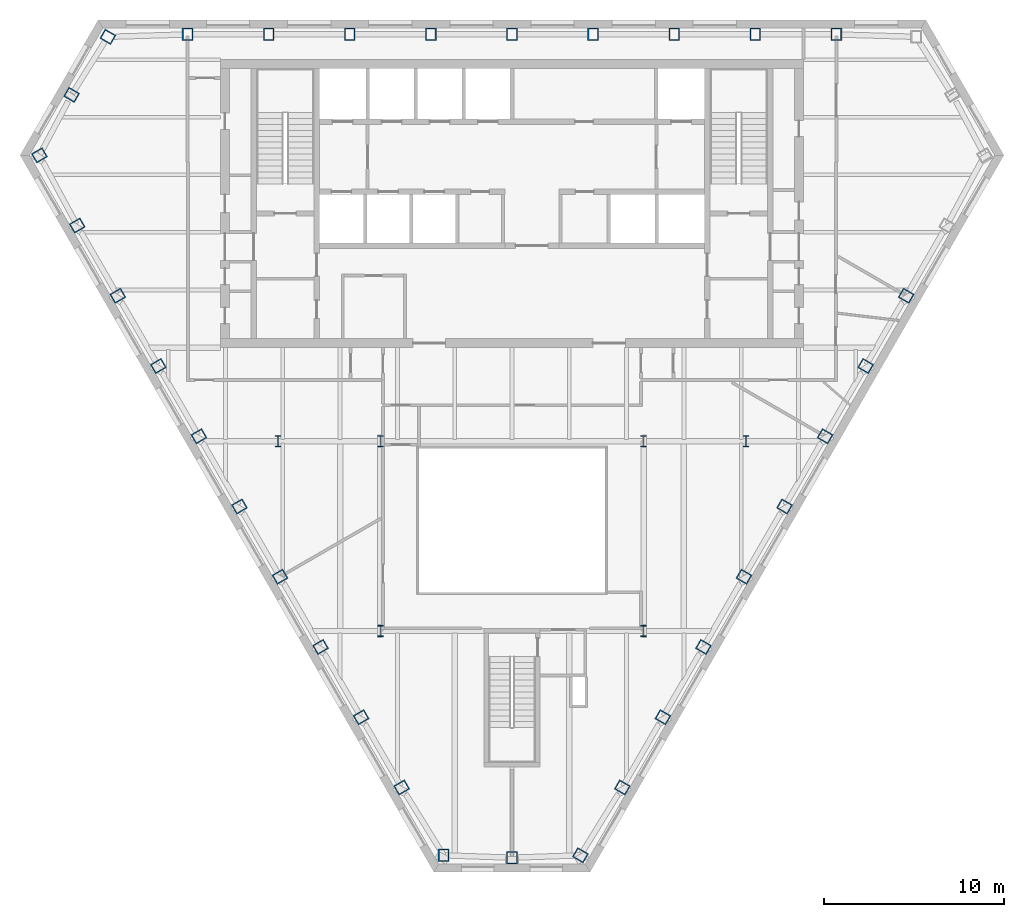
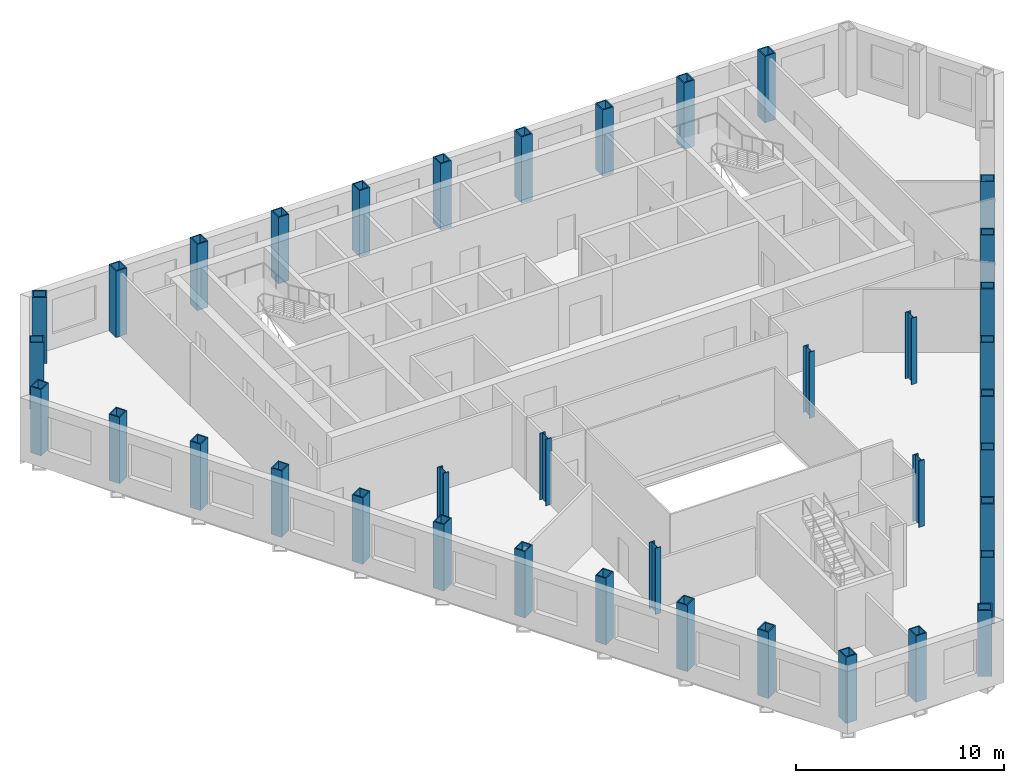
# One storey, part 1 of 11: 38 columns.
"""IFC4 building model written with IfcOpenShell, lengths in metres."""

from ifc_helpers import new_model, si_unit, direction, frame, origin, origin_2d, place, context, subcontext, project, spatial, hollow_rectangle, i_section, extrude, material, material_profile, profile_set, type_object, element, save


model = new_model("IFC4")

# Units and contexts
model_context = context("Model", 3, precision=1e-05, world=origin(), true_north=direction((0.0, 1.0)))
body_context = subcontext(model_context, "Body", "Model", "MODEL_VIEW")
ifc_project = project(units=[si_unit("LENGTHUNIT", "METRE"), si_unit("AREAUNIT", "SQUARE_METRE"), si_unit("VOLUMEUNIT", "CUBIC_METRE"), si_unit("PLANEANGLEUNIT", "RADIAN"), si_unit("MASSUNIT", "GRAM", prefix="KILO")], contexts=[model_context])

# Site, building, storey
site_placement = place(None, origin())
site = spatial("IfcSite", under=ifc_project, at=site_placement, CompositionType="ELEMENT")
building_placement = place(site_placement, origin())
building = spatial("IfcBuilding", under=site, at=building_placement, Name="Njiva Tower", CompositionType="ELEMENT")
storey_placement = place(building_placement, frame((0.0, 0.0, 151.5)))
storey = spatial("IfcBuildingStorey", under=building, at=storey_placement, Name="L32", CompositionType="ELEMENT", Elevation=151.5)

# Columns
ifc_material = material(Name="Steel S355 J2", Category="steel")
ifc_material_profile_1 = material_profile(ifc_material, i_section(OverallWidth=0.305, OverallDepth=0.62, WebThickness=0.021, FlangeThickness=0.04, at=origin_2d()), Name="HEM 600")
ifc_profile_set_1 = profile_set([ifc_material_profile_1], Name="Steel S355 J2")
column_type_1 = type_object("IfcColumnType", Name="C10 Interior column HEM 600", PredefinedType="COLUMN", material=ifc_profile_set_1)
for number, where, z_axis, x_axis, name in (
    (1, (7.32, -3.2, 0.0), (0.0, 0.0, 1.0), (1.0, 0.0, 0.0), "Interior column S11-C37"),
    (2, (-7.32, -3.2, 0.0), (0.0, 0.0, 1.0), (1.0, 0.0, 0.0), "Interior column S11-C38"),
    (3, (7.32, -13.75, 0.0), (0.0, 0.0, 1.0), (1.0, 0.0, 0.0), "Interior column S11-C39"),
    (4, (-7.32, -13.75, 0.0), (0.0, 0.0, 1.0), (1.0, 0.0, 0.0), "Interior column S11-C40"),
    (5, (13.0, -3.2, 0.0), (0.0, 0.0, 1.0), (1.0, 0.0, 0.0), "Interior column S11-C41"),
    (6, (-13.0, -3.2, 0.0), (0.0, 0.0, 1.0), (1.0, 0.0, 0.0), "Interior column S11-C42"),
):
    element("IfcColumn", number, at=place(storey_placement, frame(where, z_axis=z_axis, x_axis=x_axis)), inside=storey, type_object=column_type_1, Name=name, PredefinedType="COLUMN", context=body_context, shape_type="SweptSolid", body=[
        extrude(i_section(OverallWidth=0.305, OverallDepth=0.62, WebThickness=0.021, FlangeThickness=0.04, at=origin_2d()), origin(), (0.0, 0.0, 1.0), 3.9),
    ])
ifc_material_profile_2 = material_profile(ifc_material, hollow_rectangle(XDim=0.6, YDim=0.7, WallThickness=0.06, at=origin_2d()), Name="BOX 700x600x60")
ifc_profile_set_2 = profile_set([ifc_material_profile_2], Name="Steel S355 J2")
column_type_2 = type_object("IfcColumnType", Name="C9 Perimeter tube column BOX 700x600x60", PredefinedType="COLUMN", material=ifc_profile_set_2)
for number, where, z_axis, x_axis, name in (
    (7, (18.026, 19.4, 0.0), (0.0, 0.0, 1.0), (-1.0, 0.0, 0.0), "Perimeter tube column S11-C02"),
    (8, (13.52, 19.4, 0.0), (0.0, 0.0, 1.0), (-1.0, 0.0, 0.0), "Perimeter tube column S11-C03"),
    (9, (9.013, 19.4, 0.0), (0.0, 0.0, 1.0), (-1.0, 0.0, 0.0), "Perimeter tube column S11-C04"),
    (10, (4.507, 19.4, 0.0), (0.0, 0.0, 1.0), (-1.0, 0.0, 0.0), "Perimeter tube column S11-C05"),
    (11, (0.0, 19.4, 0.0), (0.0, 0.0, 1.0), (-1.0, 0.0, 0.0), "Perimeter tube column S11-C06"),
    (12, (-4.507, 19.4, 0.0), (0.0, 0.0, 1.0), (-1.0, 0.0, 0.0), "Perimeter tube column S11-C07"),
    (13, (-9.013, 19.4, 0.0), (0.0, 0.0, 1.0), (-1.0, 0.0, 0.0), "Perimeter tube column S11-C08"),
    (14, (-13.52, 19.4, 0.0), (0.0, 0.0, 1.0), (-1.0, 0.0, 0.0), "Perimeter tube column S11-C09"),
    (15, (-18.026, 19.4, 0.0), (0.0, 0.0, 1.0), (-1.0, 0.0, 0.0), "Perimeter tube column S11-C10"),
    (16, (-22.456, 19.267, 0.0), (0.0, 0.0, 1.0), (-0.5, -0.866025403784, 0.0), "Perimeter tube column S11-C11"),
    (17, (-24.472, 16.041, 0.0), (0.0, 0.0, 1.0), (-0.5, -0.866025403784, 0.0), "Perimeter tube column S11-C12"),
    (18, (-26.258, 12.683, 0.0), (0.0, 0.0, 1.0), (0.5, -0.866025403784, 0.0), "Perimeter tube column S11-C13"),
    (19, (-24.158, 8.78, 0.0), (0.0, 0.0, 1.0), (0.5, -0.866025403784, 0.0), "Perimeter tube column S11-C14"),
    (20, (-21.905, 4.877, 0.0), (0.0, 0.0, 1.0), (0.5, -0.866025403784, 0.0), "Perimeter tube column S11-C15"),
    (21, (-19.651, 0.974, 0.0), (0.0, 0.0, 1.0), (0.5, -0.866025403784, 0.0), "Perimeter tube column S11-C16"),
    (22, (-17.398, -2.929, 0.0), (0.0, 0.0, 1.0), (0.5, -0.866025403784, 0.0), "Perimeter tube column S11-C17"),
    (23, (-15.145, -6.831, 0.0), (0.0, 0.0, 1.0), (0.5, -0.866025403784, 0.0), "Perimeter tube column S11-C18"),
    (24, (-12.891, -10.734, 0.0), (0.0, 0.0, 1.0), (0.5, -0.866025403784, 0.0), "Perimeter tube column S11-C19"),
    (25, (-10.638, -14.637, 0.0), (0.0, 0.0, 1.0), (0.5, -0.866025403784, 0.0), "Perimeter tube column S11-C20"),
    (26, (-8.385, -18.54, 0.0), (0.0, 0.0, 1.0), (0.5, -0.866025403784, 0.0), "Perimeter tube column S11-C21"),
    (27, (-6.131, -22.443, 0.0), (0.0, 0.0, 1.0), (0.5, -0.866025403784, 0.0), "Perimeter tube column S11-C22"),
    (28, (-3.801, -26.212, 0.0), (0.0, 0.0, 1.0), (1.0, 0.0, 0.0), "Perimeter tube column S11-C23"),
    (29, (0.0, -26.346, 0.0), (0.0, 0.0, 1.0), (1.0, 0.0, 0.0), "Perimeter tube column S11-C24"),
    (30, (3.801, -26.212, 0.0), (0.0, 0.0, 1.0), (0.5, 0.866025403784, 0.0), "Perimeter tube column S11-C25"),
    (31, (6.131, -22.443, 0.0), (0.0, 0.0, 1.0), (0.5, 0.866025403784, 0.0), "Perimeter tube column S11-C26"),
    (32, (8.385, -18.54, 0.0), (0.0, 0.0, 1.0), (0.5, 0.866025403784, 0.0), "Perimeter tube column S11-C27"),
    (33, (10.638, -14.637, 0.0), (0.0, 0.0, 1.0), (0.5, 0.866025403784, 0.0), "Perimeter tube column S11-C28"),
    (34, (12.891, -10.734, 0.0), (0.0, 0.0, 1.0), (0.5, 0.866025403784, 0.0), "Perimeter tube column S11-C29"),
    (35, (15.145, -6.831, 0.0), (0.0, 0.0, 1.0), (0.5, 0.866025403784, 0.0), "Perimeter tube column S11-C30"),
    (36, (17.398, -2.929, 0.0), (0.0, 0.0, 1.0), (0.5, 0.866025403784, 0.0), "Perimeter tube column S11-C31"),
    (37, (19.651, 0.974, 0.0), (0.0, 0.0, 1.0), (0.5, 0.866025403784, 0.0), "Perimeter tube column S11-C32"),
    (38, (21.905, 4.877, 0.0), (0.0, 0.0, 1.0), (0.5, 0.866025403784, 0.0), "Perimeter tube column S11-C33"),
):
    element("IfcColumn", number, at=place(storey_placement, frame(where, z_axis=z_axis, x_axis=x_axis)), inside=storey, type_object=column_type_2, Name=name, PredefinedType="COLUMN", context=body_context, shape_type="SweptSolid", body=[
        extrude(hollow_rectangle(XDim=0.6, YDim=0.7, WallThickness=0.06, at=origin_2d()), origin(), (0.0, 0.0, 1.0), 3.9),
    ])

save(model, "model.ifc")
